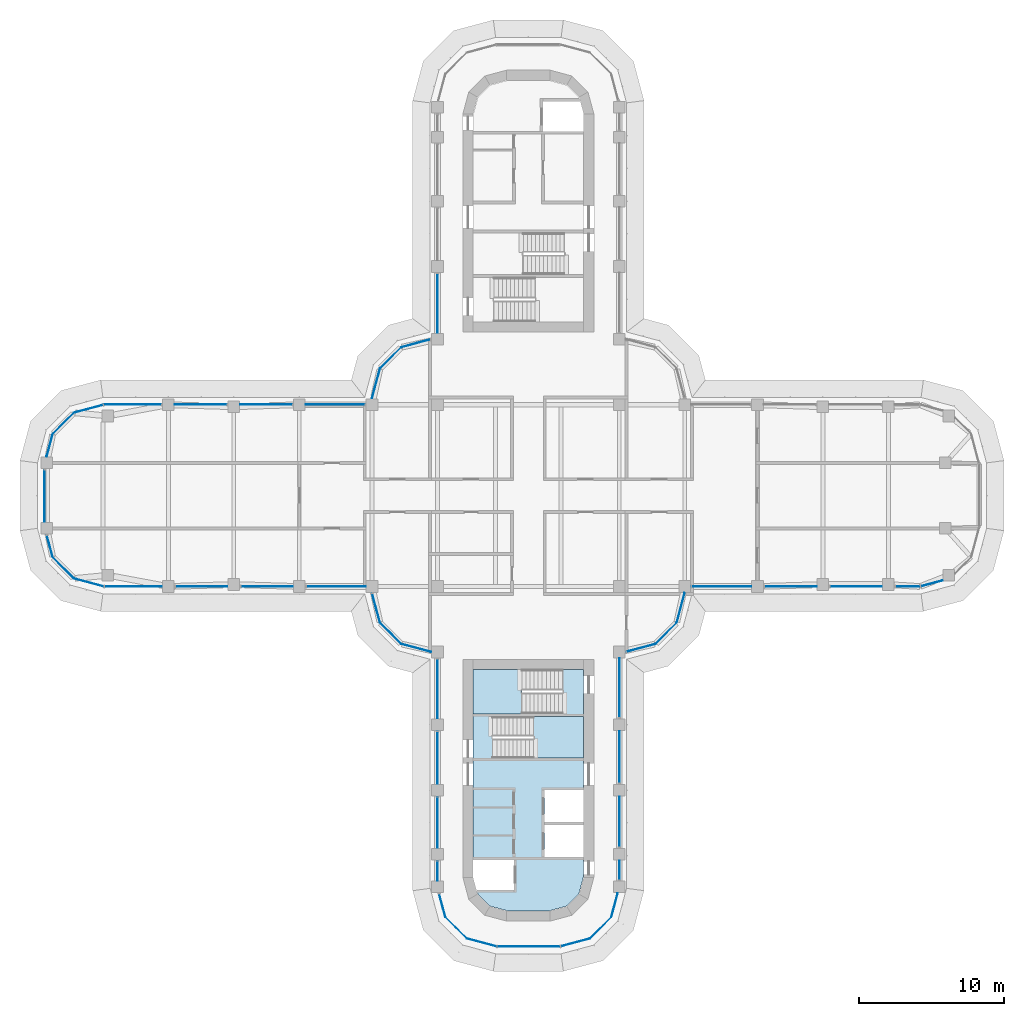
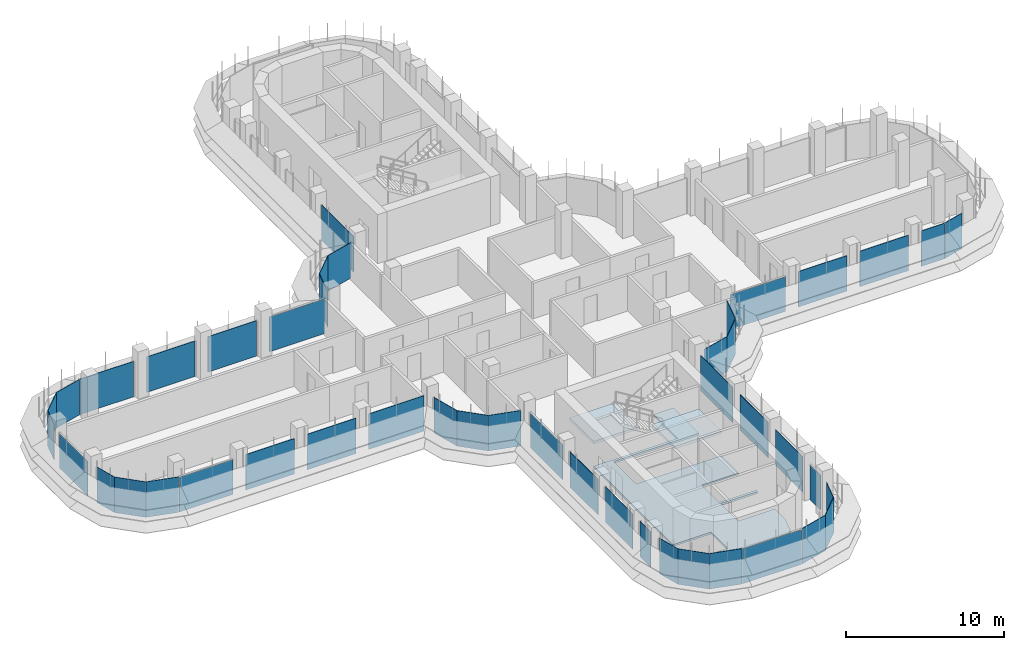
# One storey, part 11 of 19: 45 plates, 3 slabs, 32 elements without a shape of their own.
"""IFC4 building model written with IfcOpenShell, lengths in metres."""

import ifcopenshell
import ifcopenshell.guid

model = None  # the IFC model being written
_history = None  # IfcOwnerHistory: only IFC2X3 demands one
_inside = {}  # id of a spatial element -> (the spatial element, [elements in it])
_under = {}  # id of a project, library or spatial element -> (it, [spatial elements below it])
_declared = {}  # id of a project -> (the project, [libraries it declares])
_typed = {}  # id of a type object -> (the type object, [elements of that type])
_made_of = {}  # id of a material, layer set ... -> (it, [elements and type objects made of it])


def new_model(schema):
    """Start an empty IFC model of exactly this schema.

    Asked for "IFC4X3", IfcOpenShell would pick the latest addendum, in which some entities
    have other attributes; the version numbers below select the first issue.
    IFC2X3 requires an IfcOwnerHistory on every rooted entity: one is made here for all.
    """
    global model, _history
    if schema == "IFC4X3":
        model = ifcopenshell.file(schema_version=(4, 3, 0, 0))
    else:
        model = ifcopenshell.file(schema=schema)
    _inside.clear()
    _under.clear()
    _declared.clear()
    _typed.clear()
    _made_of.clear()
    _history = None
    if model.schema == "IFC2X3":
        org = make("IfcOrganization", Name="unknown")
        user = make(
            "IfcPersonAndOrganization",
            ThePerson=make("IfcPerson", FamilyName="unknown"),
            TheOrganization=org,
        )
        app = make(
            "IfcApplication",
            ApplicationDeveloper=org,
            Version="unknown",
            ApplicationFullName="unknown",
            ApplicationIdentifier="unknown",
        )
        _history = make(
            "IfcOwnerHistory",
            OwningUser=user,
            OwningApplication=app,
            ChangeAction="ADDED",
            CreationDate=0,
        )
    return model


def make(cls, **values):
    """One entity of the class cls with the attributes given. An attribute that is None is left unset."""
    return model.create_entity(
        cls, **{name: value for name, value in values.items() if value is not None}
    )


def rooted(cls, **values):
    """An entity with a GlobalId (a new one), such as an element, a storey or a relation."""
    return make(cls, GlobalId=ifcopenshell.guid.new(), OwnerHistory=_history, **values)


def si_unit(unit_type, name, prefix=None):
    """IfcSIUnit, for example si_unit("LENGTHUNIT", "METRE", prefix="MILLI")."""
    return make("IfcSIUnit", UnitType=unit_type, Prefix=prefix, Name=name)


def assignment(units):
    """IfcUnitAssignment: the units of a project."""
    return None if units is None else make("IfcUnitAssignment", Units=units)


def point(xyz):
    """IfcCartesianPoint."""
    return None if xyz is None else make("IfcCartesianPoint", Coordinates=xyz)


def direction(xyz):
    """IfcDirection."""
    return None if xyz is None else make("IfcDirection", DirectionRatios=xyz)


def frame(location, z_axis=None, x_axis=None):
    """IfcAxis2Placement3D, a coordinate frame: its origin and axes. An axis left out is left unset."""
    return make(
        "IfcAxis2Placement3D",
        Location=point(location),
        Axis=direction(z_axis),
        RefDirection=direction(x_axis),
    )


def origin():
    """The frame at (0, 0, 0) with its axes left unset."""
    return frame((0.0, 0.0, 0.0))


def place(relative_to, where):
    """IfcLocalPlacement: puts the frame where relative to a parent placement (None: the world)."""
    return make(
        "IfcLocalPlacement", PlacementRelTo=relative_to, RelativePlacement=where
    )


def context(
    kind, dimensions, precision=None, world=None, true_north=None, identifier=None
):
    """IfcGeometricRepresentationContext, for example the 3D "Model" context."""
    return make(
        "IfcGeometricRepresentationContext",
        ContextIdentifier=identifier,
        ContextType=kind,
        CoordinateSpaceDimension=dimensions,
        Precision=precision,
        WorldCoordinateSystem=world,
        TrueNorth=true_north,
    )


def subcontext(parent, identifier, kind, view, scale=None):
    """IfcGeometricRepresentationSubContext, for example "Body" below "Model"."""
    return make(
        "IfcGeometricRepresentationSubContext",
        ContextIdentifier=identifier,
        ContextType=kind,
        ParentContext=parent,
        TargetScale=scale,
        TargetView=view,
    )


def project(units=None, contexts=None):
    """IfcProject with its units and contexts."""
    return rooted(
        "IfcProject",
        Name="project",
        RepresentationContexts=contexts,
        UnitsInContext=assignment(units),
    )


def spatial(cls, under=None, at=None, **own):
    """A site, building, storey or space (cls), placed at a placement, below another one or the project."""
    s = rooted(cls, ObjectPlacement=at, **own)
    if under is not None:
        _under.setdefault(under.id(), (under, []))[1].append(s)
    return s


def polyline(points):
    """IfcPolyline through the points."""
    return make("IfcPolyline", Points=[point(p) for p in points])


def outline(outer, holes=None, kind="AREA"):
    """IfcArbitraryClosedProfileDef: a profile drawn as a closed curve; with holes, ...WithVoids."""
    if holes is None:
        return make("IfcArbitraryClosedProfileDef", ProfileType=kind, OuterCurve=outer)
    return make(
        "IfcArbitraryProfileDefWithVoids",
        ProfileType=kind,
        OuterCurve=outer,
        InnerCurves=holes,
    )


def extrude(swept, where, along, depth):
    """IfcExtrudedAreaSolid: the profile swept, set in the frame where, extruded along a direction by depth."""
    return make(
        "IfcExtrudedAreaSolid",
        SweptArea=swept,
        Position=where,
        ExtrudedDirection=direction(along),
        Depth=depth,
    )


def shape(context_of_items, identifier, shape_type, items):
    """IfcShapeRepresentation: the items that make up one representation, for example the "Body"."""
    return make(
        "IfcShapeRepresentation",
        ContextOfItems=context_of_items,
        RepresentationIdentifier=identifier,
        RepresentationType=shape_type,
        Items=items,
    )


def source(mapping_origin, context_of_items, identifier, shape_type, items):
    """IfcRepresentationMap: a shape defined once, which mapped items show again and again."""
    return make(
        "IfcRepresentationMap",
        MappingOrigin=mapping_origin,
        MappedRepresentation=shape(context_of_items, identifier, shape_type, items),
    )


def transform(
    local_origin,
    x_axis=None,
    y_axis=None,
    z_axis=None,
    scale=None,
    scale2=None,
    scale3=None,
    uniform=True,
):
    """IfcCartesianTransformationOperator3D, or its non-uniform kind. x_axis, y_axis, z_axis: its Axis1, 2, 3."""
    if uniform:
        return make(
            "IfcCartesianTransformationOperator3D",
            Axis1=direction(x_axis),
            Axis2=direction(y_axis),
            LocalOrigin=point(local_origin),
            Scale=scale,
            Axis3=direction(z_axis),
        )
    return make(
        "IfcCartesianTransformationOperator3DnonUniform",
        Axis1=direction(x_axis),
        Axis2=direction(y_axis),
        LocalOrigin=point(local_origin),
        Scale=scale,
        Axis3=direction(z_axis),
        Scale2=scale2,
        Scale3=scale3,
    )


def mapped(mapping_source, mapping_target):
    """IfcMappedItem: shows the shape of a source again, moved by a transform."""
    return make(
        "IfcMappedItem", MappingSource=mapping_source, MappingTarget=mapping_target
    )


def material(Name=None, Category=None):
    """IfcMaterial."""
    return make("IfcMaterial", Name=Name, Category=Category)


def layer(
    of_material, thickness, ventilated=None, Name=None, Category=None, Priority=None
):
    """IfcMaterialLayer: one layer of a wall or slab, of a material (None: an air gap)."""
    return make(
        "IfcMaterialLayer",
        Material=of_material,
        LayerThickness=thickness,
        IsVentilated=ventilated,
        Name=Name,
        Category=Category,
        Priority=Priority,
    )


def layer_set(layers, Name=None):
    """IfcMaterialLayerSet."""
    return make("IfcMaterialLayerSet", MaterialLayers=layers, LayerSetName=Name)


def made_of(thing, what):
    """Note that an element or type object is made of a material, layer set ...; save() writes the relation."""
    if what is not None:
        _made_of.setdefault(what.id(), (what, []))[1].append(thing)
    return thing


def type_object(cls, material=None, **own):
    """A type object (cls), such as IfcWallType, which elements share."""
    return made_of(rooted(cls, **own), material)


def element(
    cls,
    number,
    at=None,
    inside=None,
    cuts=None,
    type_object=None,
    material=None,
    context=None,
    identifier="Body",
    shape_type=None,
    held_by="IfcProductDefinitionShape",
    body=None,
    shapes=None,
    **own,
):
    """One element of the class cls, such as IfcWall. Its Tag is "e" and its number.

    at: its placement. inside: the storey or other place that contains it. cuts: it is an
    opening in that element (IfcRelVoidsElement). A single representation is given by context,
    identifier, shape_type and body (its items); several are given by shapes. held_by: the class
    of the entity that holds the representations. save() writes the other relations.
    """
    e = rooted(cls, Tag="e%d" % number, ObjectPlacement=at, **own)
    if body is not None:
        shapes = [shape(context, identifier, shape_type, body)]
    if shapes is not None:
        e.Representation = make(held_by, Representations=shapes)
    if inside is not None:
        _inside.setdefault(inside.id(), (inside, []))[1].append(e)
    if cuts is not None:
        rooted(
            "IfcRelVoidsElement", RelatingBuildingElement=cuts, RelatedOpeningElement=e
        )
    if type_object is not None:
        _typed.setdefault(type_object.id(), (type_object, []))[1].append(e)
    return made_of(e, material)


def aggregate(whole, parts):
    """IfcRelAggregates: a whole, such as a stair, and the parts it consists of."""
    return rooted("IfcRelAggregates", RelatingObject=whole, RelatedObjects=parts)


def save(model, path):
    """Write the relations noted so far, then the file.

    IfcRelAggregates (storeys below a building ...), IfcRelContainedInSpatialStructure (elements
    in a storey), IfcRelDefinesByType, IfcRelAssociatesMaterial and IfcRelDeclares: one each for
    every whole, place, type object, material and project.
    """
    for whole, parts in _under.values():
        aggregate(whole, parts)
    for where, things in _inside.values():
        rooted(
            "IfcRelContainedInSpatialStructure",
            RelatedElements=things,
            RelatingStructure=where,
        )
    for kind, things in _typed.values():
        rooted("IfcRelDefinesByType", RelatedObjects=things, RelatingType=kind)
    for what, things in _made_of.values():
        rooted("IfcRelAssociatesMaterial", RelatedObjects=things, RelatingMaterial=what)
    for by, libraries in _declared.values():
        rooted("IfcRelDeclares", RelatingContext=by, RelatedDefinitions=libraries)
    model.write(path)


model = new_model("IFC4")

# Units and contexts
model_context = context("Model", 3, precision=1e-05, world=origin(), true_north=direction((0.0, 1.0)))
body_context = subcontext(model_context, "Body", "Model", "MODEL_VIEW")
ifc_project = project(units=[si_unit("LENGTHUNIT", "METRE"), si_unit("AREAUNIT", "SQUARE_METRE"), si_unit("VOLUMEUNIT", "CUBIC_METRE"), si_unit("PLANEANGLEUNIT", "RADIAN"), si_unit("MASSUNIT", "GRAM", prefix="KILO")], contexts=[model_context])

# Site, building, storey
site_placement = place(None, origin())
site = spatial("IfcSite", under=ifc_project, at=site_placement, CompositionType="ELEMENT")
building_placement = place(site_placement, origin())
building = spatial("IfcBuilding", under=site, at=building_placement, Name="Zarbagh Exchange Tower", CompositionType="ELEMENT")
storey_placement = place(building_placement, frame((0.0, 0.0, 171.39990234375)))
storey = spatial("IfcBuildingStorey", under=building, at=storey_placement, Name="L41", CompositionType="ELEMENT", Elevation=171.39990234375)

# Slab
ifc_material_1 = material(Name="Concrete C40/50", Category="concrete")
ifc_layer_1 = layer(ifc_material_1, 0.14990234375)
ifc_layer_set_1 = layer_set([ifc_layer_1], Name="Core floor slab 150 C40/50")
slab_type_1 = type_object("IfcSlabType", Name="Core floor slab 150 C40/50", PredefinedType="FLOOR", material=ifc_layer_set_1)
slab_1_placement = place(storey_placement, frame((0.0, 0.0, -0.14990234375)))
element("IfcSlab", 1, at=slab_1_placement, inside=storey, type_object=slab_type_1, Name="S17 core S", PredefinedType="FLOOR", context=body_context, shape_type="SweptSolid", body=[
    extrude(outline(polyline([(-2.6376953125, -28.220458984375), (-3.470458984375, -27.3876953125), (-3.800048828125, -26.15771484375), (-3.800048828125, -26.15771484375), (-3.547607421875, -27.10009765625), (-1.0, -27.10009765625), (-1.0, -25.050048828125), (-3.800048828125, -25.050048828125), (-3.800048828125, -15.0), (2.35009765625, -15.0), (2.35009765625, -11.949951171875), (3.800048828125, -11.949951171875), (3.800048828125, -15.199951171875), (-2.449951171875, -15.199951171875), (-2.449951171875, -18.050048828125), (3.800048828125, -18.050048828125), (3.800048828125, -20.25), (1.10009765625, -20.25), (1.10009765625, -22.449951171875), (3.800048828125, -22.449951171875), (3.800048828125, -22.64990234375), (1.10009765625, -22.64990234375), (1.10009765625, -24.85009765625), (3.800048828125, -24.85009765625), (3.800048828125, -26.15771484375), (3.470458984375, -27.3876953125), (2.6376953125, -28.220458984375), (1.40771484375, -28.550048828125), (-1.40771484375, -28.550048828125), (-2.6376953125, -28.220458984375)])), origin(), (0.0, 0.0, 1.0), 0.14990234375),
])

# Stair, slab
stair_type = type_object("IfcStairType", Name="Exit stair two-flight half-turn", PredefinedType="HALF_TURN_STAIR", material=ifc_material_1)
stair_1_placement = place(storey_placement, origin())
stair_1 = element("IfcStair", 2, at=stair_1_placement, inside=storey, type_object=stair_type, Name="exit stair ST3", PredefinedType="HALF_TURN_STAIR")
ifc_layer_2 = layer(ifc_material_1, 0.199951171875)
ifc_layer_set_2 = layer_set([ifc_layer_2], Name="Stair landing 200 mm")
slab_type_2 = type_object("IfcSlabType", Name="Stair landing 200 mm", PredefinedType="LANDING", material=ifc_layer_set_2)
slab_2_placement = place(storey_placement, frame((0.0, 0.0, 1.7001953125)))
slab_2 = element("IfcSlab", 3, at=slab_2_placement, type_object=slab_type_2, Name="ST3 landing 1", PredefinedType="LANDING", context=body_context, shape_type="SweptSolid", body=[
    extrude(outline(polyline([(0.35009765625, -18.050048828125), (3.800048828125, -18.050048828125), (3.800048828125, -15.199951171875), (0.35009765625, -15.199951171875), (0.35009765625, -18.050048828125)])), origin(), (0.0, 0.0, 1.0), 0.199951171875),
])
aggregate(stair_1, [slab_2])

stair_2_placement = place(storey_placement, origin())
stair_2 = element("IfcStair", 4, at=stair_2_placement, inside=storey, type_object=stair_type, Name="exit stair ST4", PredefinedType="HALF_TURN_STAIR")
slab_3_placement = place(storey_placement, frame((0.0, 0.0, 1.7001953125)))
slab_3 = element("IfcSlab", 5, at=slab_3_placement, type_object=slab_type_2, Name="ST4 landing 1", PredefinedType="LANDING", context=body_context, shape_type="SweptSolid", body=[
    extrude(outline(polyline([(-0.449951171875, -11.949951171875), (-3.800048828125, -11.949951171875), (-3.800048828125, -15.0), (-0.449951171875, -15.0), (-0.449951171875, -11.949951171875)])), origin(), (0.0, 0.0, 1.0), 0.199951171875),
])
aggregate(stair_2, [slab_3])

# Curtain wall, plate
ifc_material_2 = material(Name="Anodised aluminium frame and glazing", Category="aluminium")
curtain_wall_type = type_object("IfcCurtainWallType", Name="CWB Ribbon glazing, upper zones", PredefinedType="NOTDEFINED", material=ifc_material_2)
curtain_wall_1_placement = place(storey_placement, origin())
curtain_wall_1 = element("IfcCurtainWall", 6, at=curtain_wall_1_placement, inside=storey, type_object=curtain_wall_type, Name="CWB37 curtain wall", PredefinedType="NOTDEFINED")
ifc_material_3 = material(Name="Low-e double glazed unit, 6+12+6 mm")
ifc_layer_3 = layer(ifc_material_3, 0.031982421875)
ifc_layer_set_3 = layer_set([ifc_layer_3], Name="PAB Glazing panel, Low-e double glazed unit, 6+12+6 mm")
plate_type = type_object("IfcPlateType", Name="PAB Glazing panel, Low-e double glazed unit, 6+12+6 mm", PredefinedType="CURTAIN_PANEL", material=ifc_layer_set_3)
shared_shape_1 = source(origin(), body_context, "Body", "SweptSolid", [
    extrude(outline(polyline([(0.0, -0.01611328125), (1.5458984375, -0.01611328125), (1.5458984375, 0.01611328125), (0.0, 0.01611328125), (0.0, -0.01611328125)])), origin(), (0.0, 0.0, 1.0), 2.75),
])
placement = place(storey_placement, origin())
plate_1 = element("IfcPlate", 7, at=placement, type_object=plate_type, Name="CWB37 glazing panel 1.1", PredefinedType="CURTAIN_PANEL", context=body_context, shape_type="MappedRepresentation", body=[
    mapped(shared_shape_1, transform((-33.098876953125, -2.748046875, 0.0), x_axis=(0.258824779902, -0.965924289636, 0.0), y_axis=(0.965924289636, 0.258824779902, 0.0), z_axis=(0.0, 0.0, 1.0))),
])
aggregate(curtain_wall_1, [plate_1])

curtain_wall_2_placement = place(storey_placement, origin())
curtain_wall_2 = element("IfcCurtainWall", 8, at=curtain_wall_2_placement, inside=storey, type_object=curtain_wall_type, Name="CWB50 curtain wall", PredefinedType="NOTDEFINED")
shared_shape_2 = source(origin(), body_context, "Body", "SweptSolid", [
    extrude(outline(polyline([(0.0, -0.01611328125), (2.061279296875, -0.01611328125), (2.061279296875, 0.01611328125), (0.0, 0.01611328125), (0.0, -0.01611328125)])), origin(), (0.0, 0.0, 1.0), 2.75),
])
plate_2 = element("IfcPlate", 9, at=placement, type_object=plate_type, Name="CWB50 glazing panel 1.1", PredefinedType="CURTAIN_PANEL", context=body_context, shape_type="MappedRepresentation", body=[
    mapped(shared_shape_2, transform((4.2412109375, -30.44873046875, 0.0), x_axis=(0.707106781187, 0.707106781187, 0.0), y_axis=(-0.707106781187, 0.707106781187, 0.0), z_axis=(0.0, 0.0, 1.0))),
])
aggregate(curtain_wall_2, [plate_2])

curtain_wall_3_placement = place(storey_placement, origin())
curtain_wall_3 = element("IfcCurtainWall", 10, at=curtain_wall_3_placement, inside=storey, type_object=curtain_wall_type, Name="CWB06 curtain wall", PredefinedType="NOTDEFINED")
plate_3 = element("IfcPlate", 11, at=placement, type_object=plate_type, Name="CWB06 glazing panel 1.1", PredefinedType="CURTAIN_PANEL", context=body_context, shape_type="MappedRepresentation", body=[
    mapped(shared_shape_2, transform((8.7412109375, -10.19873046875, 0.0), x_axis=(0.707106781187, 0.707106781187, 0.0), y_axis=(-0.707106781187, 0.707106781187, 0.0), z_axis=(0.0, 0.0, 1.0))),
])
aggregate(curtain_wall_3, [plate_3])

curtain_wall_4_placement = place(storey_placement, origin())
curtain_wall_4 = element("IfcCurtainWall", 12, at=curtain_wall_4_placement, inside=storey, type_object=curtain_wall_type, Name="CWB30 curtain wall", PredefinedType="NOTDEFINED")
plate_4 = element("IfcPlate", 13, at=placement, type_object=plate_type, Name="CWB30 glazing panel 1.1", PredefinedType="CURTAIN_PANEL", context=body_context, shape_type="MappedRepresentation", body=[
    mapped(shared_shape_2, transform((-8.7412109375, 10.19873046875, 0.0), x_axis=(-0.707106781187, -0.707106781187, 0.0), y_axis=(0.707106781187, -0.707106781187, 0.0), z_axis=(0.0, 0.0, 1.0))),
])
aggregate(curtain_wall_4, [plate_4])

curtain_wall_5_placement = place(storey_placement, origin())
curtain_wall_5 = element("IfcCurtainWall", 14, at=curtain_wall_5_placement, inside=storey, type_object=curtain_wall_type, Name="CWB34 curtain wall", PredefinedType="NOTDEFINED")
plate_5 = element("IfcPlate", 15, at=placement, type_object=plate_type, Name="CWB34 glazing panel 1.1", PredefinedType="CURTAIN_PANEL", context=body_context, shape_type="MappedRepresentation", body=[
    mapped(shared_shape_2, transform((-31.2412109375, 5.69873046875, 0.0), x_axis=(-0.707106781187, -0.707106781187, 0.0), y_axis=(0.707106781187, -0.707106781187, 0.0), z_axis=(0.0, 0.0, 1.0))),
])
aggregate(curtain_wall_5, [plate_5])

curtain_wall_6_placement = place(storey_placement, origin())
curtain_wall_6 = element("IfcCurtainWall", 16, at=curtain_wall_6_placement, inside=storey, type_object=curtain_wall_type, Name="CWB38 curtain wall", PredefinedType="NOTDEFINED")
plate_6 = element("IfcPlate", 17, at=placement, type_object=plate_type, Name="CWB38 glazing panel 1.1", PredefinedType="CURTAIN_PANEL", context=body_context, shape_type="MappedRepresentation", body=[
    mapped(shared_shape_2, transform((-32.69873046875, -4.2412109375, 0.0), x_axis=(0.707106781187, -0.707106781187, 0.0), y_axis=(0.707106781187, 0.707106781187, 0.0), z_axis=(0.0, 0.0, 1.0))),
])
aggregate(curtain_wall_6, [plate_6])

curtain_wall_7_placement = place(storey_placement, origin())
curtain_wall_7 = element("IfcCurtainWall", 18, at=curtain_wall_7_placement, inside=storey, type_object=curtain_wall_type, Name="CWB42 curtain wall", PredefinedType="NOTDEFINED")
plate_7 = element("IfcPlate", 19, at=placement, type_object=plate_type, Name="CWB42 glazing panel 1.1", PredefinedType="CURTAIN_PANEL", context=body_context, shape_type="MappedRepresentation", body=[
    mapped(shared_shape_2, transform((-10.19873046875, -8.7412109375, 0.0), x_axis=(0.707106781187, -0.707106781187, 0.0), y_axis=(0.707106781187, 0.707106781187, 0.0), z_axis=(0.0, 0.0, 1.0))),
])
aggregate(curtain_wall_7, [plate_7])

curtain_wall_8_placement = place(storey_placement, origin())
curtain_wall_8 = element("IfcCurtainWall", 20, at=curtain_wall_8_placement, inside=storey, type_object=curtain_wall_type, Name="CWB55 curtain wall", PredefinedType="NOTDEFINED")
plate_8 = element("IfcPlate", 21, at=placement, type_object=plate_type, Name="CWB55 glazing panel 1.1", PredefinedType="CURTAIN_PANEL", context=body_context, shape_type="MappedRepresentation", body=[
    mapped(shared_shape_2, transform((-5.69873046875, -28.9912109375, 0.0), x_axis=(0.707106781187, -0.707106781187, 0.0), y_axis=(0.707106781187, 0.707106781187, 0.0), z_axis=(0.0, 0.0, 1.0))),
])
aggregate(curtain_wall_8, [plate_8])

curtain_wall_9_placement = place(storey_placement, origin())
curtain_wall_9 = element("IfcCurtainWall", 22, at=curtain_wall_9_placement, inside=storey, type_object=curtain_wall_type, Name="CWB39 curtain wall", PredefinedType="NOTDEFINED")
shared_shape_3 = source(origin(), body_context, "Body", "SweptSolid", [
    extrude(outline(polyline([(0.0, -0.01611328125), (2.129638671875, -0.01611328125), (2.129638671875, 0.01611328125), (0.0, 0.01611328125), (0.0, -0.01611328125)])), origin(), (0.0, 0.0, 1.0), 2.75),
])
plate_9 = element("IfcPlate", 23, at=placement, type_object=plate_type, Name="CWB39 glazing panel 1.1", PredefinedType="CURTAIN_PANEL", context=body_context, shape_type="MappedRepresentation", body=[
    mapped(shared_shape_3, transform((-31.2412109375, -5.69873046875, 0.0), x_axis=(0.965924289636, -0.258824779902, 0.0), y_axis=(0.258824779902, 0.965924289636, 0.0), z_axis=(0.0, 0.0, 1.0))),
])
aggregate(curtain_wall_9, [plate_9])

curtain_wall_10_placement = place(storey_placement, origin())
curtain_wall_10 = element("IfcCurtainWall", 24, at=curtain_wall_10_placement, inside=storey, type_object=curtain_wall_type, Name="CWB56 curtain wall", PredefinedType="NOTDEFINED")
plate_10 = element("IfcPlate", 25, at=placement, type_object=plate_type, Name="CWB56 glazing panel 1.1", PredefinedType="CURTAIN_PANEL", context=body_context, shape_type="MappedRepresentation", body=[
    mapped(shared_shape_3, transform((-4.2412109375, -30.44873046875, 0.0), x_axis=(0.965924289636, -0.258824779902, 0.0), y_axis=(0.258824779902, 0.965924289636, 0.0), z_axis=(0.0, 0.0, 1.0))),
])
aggregate(curtain_wall_10, [plate_10])

curtain_wall_11_placement = place(storey_placement, origin())
curtain_wall_11 = element("IfcCurtainWall", 26, at=curtain_wall_11_placement, inside=storey, type_object=curtain_wall_type, Name="CWB53 curtain wall", PredefinedType="NOTDEFINED")
shared_shape_4 = source(origin(), body_context, "Body", "SweptSolid", [
    extrude(outline(polyline([(0.0, -0.01611328125), (1.31005859375, -0.01611328125), (1.31005859375, 0.01611328125), (0.0, 0.01611328125), (0.0, -0.01611328125)])), origin(), (0.0, 0.0, 1.0), 2.75),
])
plate_11 = element("IfcPlate", 27, at=placement, type_object=plate_type, Name="CWB53 glazing panel 4.1", PredefinedType="CURTAIN_PANEL", context=body_context, shape_type="MappedRepresentation", body=[
    mapped(shared_shape_4, transform((-6.25, -25.150146484375, 0.0), x_axis=(0.0, -1.0, 0.0), y_axis=(1.0, 0.0, 0.0), z_axis=(0.0, 0.0, 1.0))),
])

curtain_wall_12_placement = place(storey_placement, origin())
curtain_wall_12 = element("IfcCurtainWall", 28, at=curtain_wall_12_placement, inside=storey, type_object=curtain_wall_type, Name="CWB52 curtain wall", PredefinedType="NOTDEFINED")
shared_shape_5 = source(origin(), body_context, "Body", "SweptSolid", [
    extrude(outline(polyline([(0.0, -0.01611328125), (3.4599609375, -0.01611328125), (3.4599609375, 0.01611328125), (0.0, 0.01611328125), (0.0, -0.01611328125)])), origin(), (0.0, 0.0, 1.0), 2.75),
])
plate_12 = element("IfcPlate", 29, at=placement, type_object=plate_type, Name="CWB52 glazing panel 2.1", PredefinedType="CURTAIN_PANEL", context=body_context, shape_type="MappedRepresentation", body=[
    mapped(shared_shape_5, transform((6.25, -24.14990234375, 0.0), x_axis=(0.0, 1.0, 0.0), y_axis=(-1.0, 0.0, 0.0), z_axis=(0.0, 0.0, 1.0))),
])

# Plate
plate_13 = element("IfcPlate", 30, at=placement, type_object=plate_type, Name="CWB53 glazing panel 3.1", PredefinedType="CURTAIN_PANEL", context=body_context, shape_type="MappedRepresentation", body=[
    mapped(shared_shape_5, transform((-6.25, -20.75, 0.0), x_axis=(0.0, -1.0, 0.0), y_axis=(1.0, 0.0, 0.0), z_axis=(0.0, 0.0, 1.0))),
])

shared_shape_6 = source(origin(), body_context, "Body", "SweptSolid", [
    extrude(outline(polyline([(0.0, -0.01611328125), (3.56005859375, -0.01611328125), (3.56005859375, 0.01611328125), (0.0, 0.01611328125), (0.0, -0.01611328125)])), origin(), (0.0, 0.0, 1.0), 2.75),
])
plate_14 = element("IfcPlate", 31, at=placement, type_object=plate_type, Name="CWB52 glazing panel 3.1", PredefinedType="CURTAIN_PANEL", context=body_context, shape_type="MappedRepresentation", body=[
    mapped(shared_shape_6, transform((6.25, -19.75, 0.0), x_axis=(0.0, 1.0, 0.0), y_axis=(-1.0, 0.0, 0.0), z_axis=(0.0, 0.0, 1.0))),
])

# Curtain wall, plates
curtain_wall_13_placement = place(storey_placement, origin())
curtain_wall_13 = element("IfcCurtainWall", 32, at=curtain_wall_13_placement, inside=storey, type_object=curtain_wall_type, Name="CWB08 curtain wall", PredefinedType="NOTDEFINED")
plate_15 = element("IfcPlate", 33, at=placement, type_object=plate_type, Name="CWB08 glazing panel 2.1", PredefinedType="CURTAIN_PANEL", context=body_context, shape_type="MappedRepresentation", body=[
    mapped(shared_shape_6, transform((16.25, -6.25, 0.0), x_axis=(1.0, 0.0, 0.0), y_axis=(0.0, 1.0, 0.0), z_axis=(0.0, 0.0, 1.0))),
])
plate_16 = element("IfcPlate", 34, at=placement, type_object=plate_type, Name="CWB08 glazing panel 3.1", PredefinedType="CURTAIN_PANEL", context=body_context, shape_type="MappedRepresentation", body=[
    mapped(shared_shape_6, transform((20.75, -6.25, 0.0), x_axis=(1.0, 0.0, 0.0), y_axis=(0.0, 1.0, 0.0), z_axis=(0.0, 0.0, 1.0))),
])

curtain_wall_14_placement = place(storey_placement, origin())
curtain_wall_14 = element("IfcCurtainWall", 35, at=curtain_wall_14_placement, inside=storey, type_object=curtain_wall_type, Name="CWB32 curtain wall", PredefinedType="NOTDEFINED")
plate_17 = element("IfcPlate", 36, at=placement, type_object=plate_type, Name="CWB32 glazing panel 2.1", PredefinedType="CURTAIN_PANEL", context=body_context, shape_type="MappedRepresentation", body=[
    mapped(shared_shape_6, transform((-16.25, 6.25, 0.0), x_axis=(-1.0, 0.0, 0.0), y_axis=(0.0, -1.0, 0.0), z_axis=(0.0, 0.0, 1.0))),
])
plate_18 = element("IfcPlate", 37, at=placement, type_object=plate_type, Name="CWB32 glazing panel 3.1", PredefinedType="CURTAIN_PANEL", context=body_context, shape_type="MappedRepresentation", body=[
    mapped(shared_shape_6, transform((-20.75, 6.25, 0.0), x_axis=(-1.0, 0.0, 0.0), y_axis=(0.0, -1.0, 0.0), z_axis=(0.0, 0.0, 1.0))),
])

curtain_wall_15_placement = place(storey_placement, origin())
curtain_wall_15 = element("IfcCurtainWall", 38, at=curtain_wall_15_placement, inside=storey, type_object=curtain_wall_type, Name="CWB40 curtain wall", PredefinedType="NOTDEFINED")
plate_19 = element("IfcPlate", 39, at=placement, type_object=plate_type, Name="CWB40 glazing panel 2.1", PredefinedType="CURTAIN_PANEL", context=body_context, shape_type="MappedRepresentation", body=[
    mapped(shared_shape_6, transform((-24.25, -6.25, 0.0), x_axis=(1.0, 0.0, 0.0), y_axis=(0.0, 1.0, 0.0), z_axis=(0.0, 0.0, 1.0))),
])
plate_20 = element("IfcPlate", 40, at=placement, type_object=plate_type, Name="CWB40 glazing panel 3.1", PredefinedType="CURTAIN_PANEL", context=body_context, shape_type="MappedRepresentation", body=[
    mapped(shared_shape_6, transform((-19.75, -6.25, 0.0), x_axis=(1.0, 0.0, 0.0), y_axis=(0.0, 1.0, 0.0), z_axis=(0.0, 0.0, 1.0))),
])

# Plate
plate_21 = element("IfcPlate", 41, at=placement, type_object=plate_type, Name="CWB53 glazing panel 2.1", PredefinedType="CURTAIN_PANEL", context=body_context, shape_type="MappedRepresentation", body=[
    mapped(shared_shape_6, transform((-6.25, -16.25, 0.0), x_axis=(0.0, -1.0, 0.0), y_axis=(1.0, 0.0, 0.0), z_axis=(0.0, 0.0, 1.0))),
])

shared_shape_7 = source(origin(), body_context, "Body", "SweptSolid", [
    extrude(outline(polyline([(0.0, -0.01611328125), (4.06005859375, -0.01611328125), (4.06005859375, 0.01611328125), (0.0, 0.01611328125), (0.0, -0.01611328125)])), origin(), (0.0, 0.0, 1.0), 2.75),
])
plate_22 = element("IfcPlate", 42, at=placement, type_object=plate_type, Name="CWB52 glazing panel 4.1", PredefinedType="CURTAIN_PANEL", context=body_context, shape_type="MappedRepresentation", body=[
    mapped(shared_shape_7, transform((6.25, -15.25, 0.0), x_axis=(0.0, 1.0, 0.0), y_axis=(-1.0, 0.0, 0.0), z_axis=(0.0, 0.0, 1.0))),
])

# Curtain wall, plate
curtain_wall_16_placement = place(storey_placement, origin())
curtain_wall_16 = element("IfcCurtainWall", 43, at=curtain_wall_16_placement, inside=storey, type_object=curtain_wall_type, Name="CWB28 curtain wall", PredefinedType="NOTDEFINED")
plate_23 = element("IfcPlate", 44, at=placement, type_object=plate_type, Name="CWB28 glazing panel 4.1", PredefinedType="CURTAIN_PANEL", context=body_context, shape_type="MappedRepresentation", body=[
    mapped(shared_shape_7, transform((-6.25, 15.25, 0.0), x_axis=(0.0, -1.0, 0.0), y_axis=(1.0, 0.0, 0.0), z_axis=(0.0, 0.0, 1.0))),
])
aggregate(curtain_wall_16, [plate_23])

# Plate
plate_24 = element("IfcPlate", 45, at=placement, type_object=plate_type, Name="CWB40 glazing panel 4.1", PredefinedType="CURTAIN_PANEL", context=body_context, shape_type="MappedRepresentation", body=[
    mapped(shared_shape_7, transform((-15.25, -6.25, 0.0), x_axis=(1.0, 0.0, 0.0), y_axis=(0.0, 1.0, 0.0), z_axis=(0.0, 0.0, 1.0))),
])

# Curtain wall, plate
curtain_wall_17_placement = place(storey_placement, origin())
curtain_wall_17 = element("IfcCurtainWall", 46, at=curtain_wall_17_placement, inside=storey, type_object=curtain_wall_type, Name="CWB05 curtain wall", PredefinedType="NOTDEFINED")
shared_shape_8 = source(origin(), body_context, "Body", "SweptSolid", [
    extrude(outline(polyline([(0.0, -0.01611328125), (2.063720703125, -0.01611328125), (2.063720703125, 0.01611328125), (0.0, 0.01611328125), (0.0, -0.01611328125)])), origin(), (0.0, 0.0, 1.0), 2.75),
])
plate_25 = element("IfcPlate", 47, at=placement, type_object=plate_type, Name="CWB05 glazing panel 1.1", PredefinedType="CURTAIN_PANEL", context=body_context, shape_type="MappedRepresentation", body=[
    mapped(shared_shape_8, transform((6.748046875, -10.73291015625, 0.0), x_axis=(0.965924289636, 0.258824779902, 0.0), y_axis=(-0.258824779902, 0.965924289636, 0.0), z_axis=(0.0, 0.0, 1.0))),
])
aggregate(curtain_wall_17, [plate_25])

curtain_wall_18_placement = place(storey_placement, origin())
curtain_wall_18 = element("IfcCurtainWall", 48, at=curtain_wall_18_placement, inside=storey, type_object=curtain_wall_type, Name="CWB29 curtain wall", PredefinedType="NOTDEFINED")
plate_26 = element("IfcPlate", 49, at=placement, type_object=plate_type, Name="CWB29 glazing panel 1.1", PredefinedType="CURTAIN_PANEL", context=body_context, shape_type="MappedRepresentation", body=[
    mapped(shared_shape_8, transform((-6.748046875, 10.73291015625, 0.0), x_axis=(-0.965924289636, -0.258824779902, 0.0), y_axis=(0.258824779902, -0.965924289636, 0.0), z_axis=(0.0, 0.0, 1.0))),
])
aggregate(curtain_wall_18, [plate_26])

curtain_wall_19_placement = place(storey_placement, origin())
curtain_wall_19 = element("IfcCurtainWall", 50, at=curtain_wall_19_placement, inside=storey, type_object=curtain_wall_type, Name="CWB41 curtain wall", PredefinedType="NOTDEFINED")
plate_27 = element("IfcPlate", 51, at=placement, type_object=plate_type, Name="CWB41 glazing panel 1.1", PredefinedType="CURTAIN_PANEL", context=body_context, shape_type="MappedRepresentation", body=[
    mapped(shared_shape_8, transform((-10.73291015625, -6.748046875, 0.0), x_axis=(0.258824779902, -0.965924289636, 0.0), y_axis=(0.965924289636, 0.258824779902, 0.0), z_axis=(0.0, 0.0, 1.0))),
])
aggregate(curtain_wall_19, [plate_27])

curtain_wall_20_placement = place(storey_placement, origin())
curtain_wall_20 = element("IfcCurtainWall", 52, at=curtain_wall_20_placement, inside=storey, type_object=curtain_wall_type, Name="CWB07 curtain wall", PredefinedType="NOTDEFINED")
shared_shape_9 = source(origin(), body_context, "Body", "SweptSolid", [
    extrude(outline(polyline([(0.0, -0.01611328125), (2.12353515625, -0.01611328125), (2.12353515625, 0.01611328125), (0.0, 0.01611328125), (0.0, -0.01611328125)])), origin(), (0.0, 0.0, 1.0), 2.75),
])
plate_28 = element("IfcPlate", 53, at=placement, type_object=plate_type, Name="CWB07 glazing panel 1.1", PredefinedType="CURTAIN_PANEL", context=body_context, shape_type="MappedRepresentation", body=[
    mapped(shared_shape_9, transform((10.19873046875, -8.7412109375, 0.0), x_axis=(0.258824779902, 0.965924289636, 0.0), y_axis=(-0.965924289636, 0.258824779902, 0.0), z_axis=(0.0, 0.0, 1.0))),
])
aggregate(curtain_wall_20, [plate_28])

curtain_wall_21_placement = place(storey_placement, origin())
curtain_wall_21 = element("IfcCurtainWall", 54, at=curtain_wall_21_placement, inside=storey, type_object=curtain_wall_type, Name="CWB31 curtain wall", PredefinedType="NOTDEFINED")
plate_29 = element("IfcPlate", 55, at=placement, type_object=plate_type, Name="CWB31 glazing panel 1.1", PredefinedType="CURTAIN_PANEL", context=body_context, shape_type="MappedRepresentation", body=[
    mapped(shared_shape_9, transform((-10.19873046875, 8.7412109375, 0.0), x_axis=(-0.258824779902, -0.965924289636, 0.0), y_axis=(0.965924289636, -0.258824779902, 0.0), z_axis=(0.0, 0.0, 1.0))),
])
aggregate(curtain_wall_21, [plate_29])

curtain_wall_22_placement = place(storey_placement, origin())
curtain_wall_22 = element("IfcCurtainWall", 56, at=curtain_wall_22_placement, inside=storey, type_object=curtain_wall_type, Name="CWB43 curtain wall", PredefinedType="NOTDEFINED")
plate_30 = element("IfcPlate", 57, at=placement, type_object=plate_type, Name="CWB43 glazing panel 1.1", PredefinedType="CURTAIN_PANEL", context=body_context, shape_type="MappedRepresentation", body=[
    mapped(shared_shape_9, transform((-8.7412109375, -10.19873046875, 0.0), x_axis=(0.965924289636, -0.258824779902, 0.0), y_axis=(0.258824779902, 0.965924289636, 0.0), z_axis=(0.0, 0.0, 1.0))),
])
aggregate(curtain_wall_22, [plate_30])

# Plate
shared_shape_10 = source(origin(), body_context, "Body", "SweptSolid", [
    extrude(outline(polyline([(0.0, -0.01611328125), (4.06005859375, -0.01611328125), (4.06005859375, 0.01611328125), (0.0, 0.01611328125), (0.0, -0.01611328125)])), origin(), (0.0, 0.0, 1.0), 2.68994140625),
])
plate_31 = element("IfcPlate", 58, at=placement, type_object=plate_type, Name="CWB08 glazing panel 1.1", PredefinedType="CURTAIN_PANEL", context=body_context, shape_type="MappedRepresentation", body=[
    mapped(shared_shape_10, transform((11.25, -6.25, 0.0), x_axis=(1.0, 0.0, 0.0), y_axis=(0.0, 1.0, 0.0), z_axis=(0.0, 0.0, 1.0))),
])

plate_32 = element("IfcPlate", 59, at=placement, type_object=plate_type, Name="CWB32 glazing panel 1.1", PredefinedType="CURTAIN_PANEL", context=body_context, shape_type="MappedRepresentation", body=[
    mapped(shared_shape_10, transform((-11.25, 6.25, 0.0), x_axis=(-1.0, 0.0, 0.0), y_axis=(0.0, -1.0, 0.0), z_axis=(0.0, 0.0, 1.0))),
])

plate_33 = element("IfcPlate", 60, at=placement, type_object=plate_type, Name="CWB53 glazing panel 1.1", PredefinedType="CURTAIN_PANEL", context=body_context, shape_type="MappedRepresentation", body=[
    mapped(shared_shape_10, transform((-6.25, -11.25, 0.0), x_axis=(0.0, -1.0, 0.0), y_axis=(1.0, 0.0, 0.0), z_axis=(0.0, 0.0, 1.0))),
])

aggregate(curtain_wall_11, [plate_33, plate_21, plate_13, plate_11])

shared_shape_11 = source(origin(), body_context, "Body", "SweptSolid", [
    extrude(outline(polyline([(0.0, -0.01611328125), (1.68408203125, -0.01611328125), (1.68408203125, 0.01611328125), (0.0, 0.01611328125), (0.0, -0.01611328125)])), origin(), (0.0, 0.0, 1.0), 2.75),
])
plate_34 = element("IfcPlate", 61, at=placement, type_object=plate_type, Name="CWB08 glazing panel 4.1", PredefinedType="CURTAIN_PANEL", context=body_context, shape_type="MappedRepresentation", body=[
    mapped(shared_shape_11, transform((25.25, -6.25, 0.0), x_axis=(1.0, 0.0, 0.0), y_axis=(0.0, 1.0, 0.0), z_axis=(0.0, 0.0, 1.0))),
])

aggregate(curtain_wall_13, [plate_31, plate_15, plate_16, plate_34])

# Curtain wall, plate
curtain_wall_23_placement = place(storey_placement, origin())
curtain_wall_23 = element("IfcCurtainWall", 62, at=curtain_wall_23_placement, inside=storey, type_object=curtain_wall_type, Name="CWB09 curtain wall", PredefinedType="NOTDEFINED")
shared_shape_12 = source(origin(), body_context, "Body", "SweptSolid", [
    extrude(outline(polyline([(0.0, -0.01611328125), (1.52783203125, -0.01611328125), (1.52783203125, 0.01611328125), (0.0, 0.01611328125), (0.0, -0.01611328125)])), origin(), (0.0, 0.0, 1.0), 2.75),
])
plate_35 = element("IfcPlate", 63, at=placement, type_object=plate_type, Name="CWB09 glazing panel 1.1", PredefinedType="CURTAIN_PANEL", context=body_context, shape_type="MappedRepresentation", body=[
    mapped(shared_shape_12, transform((26.9921875, -6.234375, 0.0), x_axis=(0.965924289636, 0.258824779902, 0.0), y_axis=(-0.258824779902, 0.965924289636, 0.0), z_axis=(0.0, 0.0, 1.0))),
])
aggregate(curtain_wall_23, [plate_35])

curtain_wall_24_placement = place(storey_placement, origin())
curtain_wall_24 = element("IfcCurtainWall", 64, at=curtain_wall_24_placement, inside=storey, type_object=curtain_wall_type, Name="CWB57 curtain wall", PredefinedType="NOTDEFINED")
shared_shape_13 = source(origin(), body_context, "Body", "SweptSolid", [
    extrude(outline(polyline([(0.0, -0.01611328125), (4.308349609375, -0.01611328125), (4.308349609375, 0.01611328125), (0.0, 0.01611328125), (0.0, -0.01611328125)])), origin(), (0.0, 0.0, 1.0), 2.68994140625),
])
plate_36 = element("IfcPlate", 65, at=placement, type_object=plate_type, Name="CWB57 glazing panel 1.1", PredefinedType="CURTAIN_PANEL", context=body_context, shape_type="MappedRepresentation", body=[
    mapped(shared_shape_13, transform((-2.124267578125, -31.0, 0.0), x_axis=(1.0, 0.0, 0.0), y_axis=(0.0, 1.0, 0.0), z_axis=(0.0, 0.0, 1.0))),
])
aggregate(curtain_wall_24, [plate_36])

curtain_wall_25_placement = place(storey_placement, origin())
curtain_wall_25 = element("IfcCurtainWall", 66, at=curtain_wall_25_placement, inside=storey, type_object=curtain_wall_type, Name="CWB49 curtain wall", PredefinedType="NOTDEFINED")
shared_shape_14 = source(origin(), body_context, "Body", "SweptSolid", [
    extrude(outline(polyline([(0.0, -0.01611328125), (2.069580078125, -0.01611328125), (2.069580078125, 0.01611328125), (0.0, 0.01611328125), (0.0, -0.01611328125)])), origin(), (0.0, 0.0, 1.0), 2.75),
])
plate_37 = element("IfcPlate", 67, at=placement, type_object=plate_type, Name="CWB49 glazing panel 1.1", PredefinedType="CURTAIN_PANEL", context=body_context, shape_type="MappedRepresentation", body=[
    mapped(shared_shape_14, transform((2.2421875, -30.984375, 0.0), x_axis=(0.965924289636, 0.258824779902, 0.0), y_axis=(-0.258824779902, 0.965924289636, 0.0), z_axis=(0.0, 0.0, 1.0))),
])
aggregate(curtain_wall_25, [plate_37])

curtain_wall_26_placement = place(storey_placement, origin())
curtain_wall_26 = element("IfcCurtainWall", 68, at=curtain_wall_26_placement, inside=storey, type_object=curtain_wall_type, Name="CWB33 curtain wall", PredefinedType="NOTDEFINED")
plate_38 = element("IfcPlate", 69, at=placement, type_object=plate_type, Name="CWB33 glazing panel 1.1", PredefinedType="CURTAIN_PANEL", context=body_context, shape_type="MappedRepresentation", body=[
    mapped(shared_shape_14, transform((-29.2421875, 6.234375, 0.0), x_axis=(-0.965924289636, -0.258824779902, 0.0), y_axis=(0.258824779902, -0.965924289636, 0.0), z_axis=(0.0, 0.0, 1.0))),
])
aggregate(curtain_wall_26, [plate_38])

# Plate
shared_shape_15 = source(origin(), body_context, "Body", "SweptSolid", [
    extrude(outline(polyline([(0.0, -0.01611328125), (3.93408203125, -0.01611328125), (3.93408203125, 0.01611328125), (0.0, 0.01611328125), (0.0, -0.01611328125)])), origin(), (0.0, 0.0, 1.0), 2.75),
])
plate_39 = element("IfcPlate", 70, at=placement, type_object=plate_type, Name="CWB32 glazing panel 4.1", PredefinedType="CURTAIN_PANEL", context=body_context, shape_type="MappedRepresentation", body=[
    mapped(shared_shape_15, transform((-25.25, 6.25, 0.0), x_axis=(-1.0, 0.0, 0.0), y_axis=(0.0, -1.0, 0.0), z_axis=(0.0, 0.0, 1.0))),
])

aggregate(curtain_wall_14, [plate_32, plate_17, plate_18, plate_39])

# Curtain wall, plate
curtain_wall_27_placement = place(storey_placement, origin())
curtain_wall_27 = element("IfcCurtainWall", 71, at=curtain_wall_27_placement, inside=storey, type_object=curtain_wall_type, Name="CWB35 curtain wall", PredefinedType="NOTDEFINED")
shared_shape_16 = source(origin(), body_context, "Body", "SweptSolid", [
    extrude(outline(polyline([(0.0, -0.01611328125), (1.60595703125, -0.01611328125), (1.60595703125, 0.01611328125), (0.0, 0.01611328125), (0.0, -0.01611328125)])), origin(), (0.0, 0.0, 1.0), 2.75),
])
plate_40 = element("IfcPlate", 72, at=placement, type_object=plate_type, Name="CWB35 glazing panel 1.1", PredefinedType="CURTAIN_PANEL", context=body_context, shape_type="MappedRepresentation", body=[
    mapped(shared_shape_16, transform((-32.69873046875, 4.2412109375, 0.0), x_axis=(-0.258824779902, -0.965924289636, 0.0), y_axis=(0.965924289636, -0.258824779902, 0.0), z_axis=(0.0, 0.0, 1.0))),
])
aggregate(curtain_wall_27, [plate_40])

curtain_wall_28_placement = place(storey_placement, origin())
curtain_wall_28 = element("IfcCurtainWall", 73, at=curtain_wall_28_placement, inside=storey, type_object=curtain_wall_type, Name="CWB36 curtain wall", PredefinedType="NOTDEFINED")
shared_shape_17 = source(origin(), body_context, "Body", "SweptSolid", [
    extrude(outline(polyline([(0.0, -0.01611328125), (3.56005859375, -0.01611328125), (3.56005859375, 0.01611328125), (0.0, 0.01611328125), (0.0, -0.01611328125)])), origin(), (0.0, 0.0, 1.0), 2.68994140625),
])
plate_41 = element("IfcPlate", 74, at=placement, type_object=plate_type, Name="CWB36 glazing panel 1.1", PredefinedType="CURTAIN_PANEL", context=body_context, shape_type="MappedRepresentation", body=[
    mapped(shared_shape_17, transform((-33.25, 1.75, 0.0), x_axis=(0.0, -1.0, 0.0), y_axis=(1.0, 0.0, 0.0), z_axis=(0.0, 0.0, 1.0))),
])
aggregate(curtain_wall_28, [plate_41])

# Plate
shared_shape_18 = source(origin(), body_context, "Body", "SweptSolid", [
    extrude(outline(polyline([(0.0, -0.01611328125), (3.93408203125, -0.01611328125), (3.93408203125, 0.01611328125), (0.0, 0.01611328125), (0.0, -0.01611328125)])), origin(), (0.0, 0.0, 1.0), 2.68994140625),
])
plate_42 = element("IfcPlate", 75, at=placement, type_object=plate_type, Name="CWB40 glazing panel 1.1", PredefinedType="CURTAIN_PANEL", context=body_context, shape_type="MappedRepresentation", body=[
    mapped(shared_shape_18, transform((-29.124267578125, -6.25, 0.0), x_axis=(1.0, 0.0, 0.0), y_axis=(0.0, 1.0, 0.0), z_axis=(0.0, 0.0, 1.0))),
])

aggregate(curtain_wall_15, [plate_42, plate_19, plate_20, plate_24])

# Curtain wall, plate
curtain_wall_29_placement = place(storey_placement, origin())
curtain_wall_29 = element("IfcCurtainWall", 76, at=curtain_wall_29_placement, inside=storey, type_object=curtain_wall_type, Name="CWB51 curtain wall", PredefinedType="NOTDEFINED")
shared_shape_19 = source(origin(), body_context, "Body", "SweptSolid", [
    extrude(outline(polyline([(0.0, -0.01611328125), (1.70947265625, -0.01611328125), (1.70947265625, 0.01611328125), (0.0, 0.01611328125), (0.0, -0.01611328125)])), origin(), (0.0, 0.0, 1.0), 2.75),
])
plate_43 = element("IfcPlate", 77, at=placement, type_object=plate_type, Name="CWB51 glazing panel 1.1", PredefinedType="CURTAIN_PANEL", context=body_context, shape_type="MappedRepresentation", body=[
    mapped(shared_shape_19, transform((5.69873046875, -28.9912109375, 0.0), x_axis=(0.258824779902, 0.965924289636, 0.0), y_axis=(-0.965924289636, 0.258824779902, 0.0), z_axis=(0.0, 0.0, 1.0))),
])
aggregate(curtain_wall_29, [plate_43])

# Plate
shared_shape_20 = source(origin(), body_context, "Body", "SweptSolid", [
    extrude(outline(polyline([(0.0, -0.01611328125), (1.31005859375, -0.01611328125), (1.31005859375, 0.01611328125), (0.0, 0.01611328125), (0.0, -0.01611328125)])), origin(), (0.0, 0.0, 1.0), 2.68994140625),
])
plate_44 = element("IfcPlate", 78, at=placement, type_object=plate_type, Name="CWB52 glazing panel 1.1", PredefinedType="CURTAIN_PANEL", context=body_context, shape_type="MappedRepresentation", body=[
    mapped(shared_shape_20, transform((6.25, -26.39990234375, 0.0), x_axis=(0.0, 1.0, 0.0), y_axis=(-1.0, 0.0, 0.0), z_axis=(0.0, 0.0, 1.0))),
])

aggregate(curtain_wall_12, [plate_44, plate_12, plate_14, plate_22])

# Curtain wall, plate
curtain_wall_30_placement = place(storey_placement, origin())
curtain_wall_30 = element("IfcCurtainWall", 79, at=curtain_wall_30_placement, inside=storey, type_object=curtain_wall_type, Name="CWB54 curtain wall", PredefinedType="NOTDEFINED")
shared_shape_21 = source(origin(), body_context, "Body", "SweptSolid", [
    extrude(outline(polyline([(0.0, -0.01611328125), (1.6494140625, -0.01611328125), (1.6494140625, 0.01611328125), (0.0, 0.01611328125), (0.0, -0.01611328125)])), origin(), (0.0, 0.0, 1.0), 2.75),
])
plate_45 = element("IfcPlate", 80, at=placement, type_object=plate_type, Name="CWB54 glazing panel 1.1", PredefinedType="CURTAIN_PANEL", context=body_context, shape_type="MappedRepresentation", body=[
    mapped(shared_shape_21, transform((-6.125732421875, -27.39794921875, 0.0), x_axis=(0.258824779902, -0.965924289636, 0.0), y_axis=(0.965924289636, 0.258824779902, 0.0), z_axis=(0.0, 0.0, 1.0))),
])
aggregate(curtain_wall_30, [plate_45])

save(model, "model.ifc")
